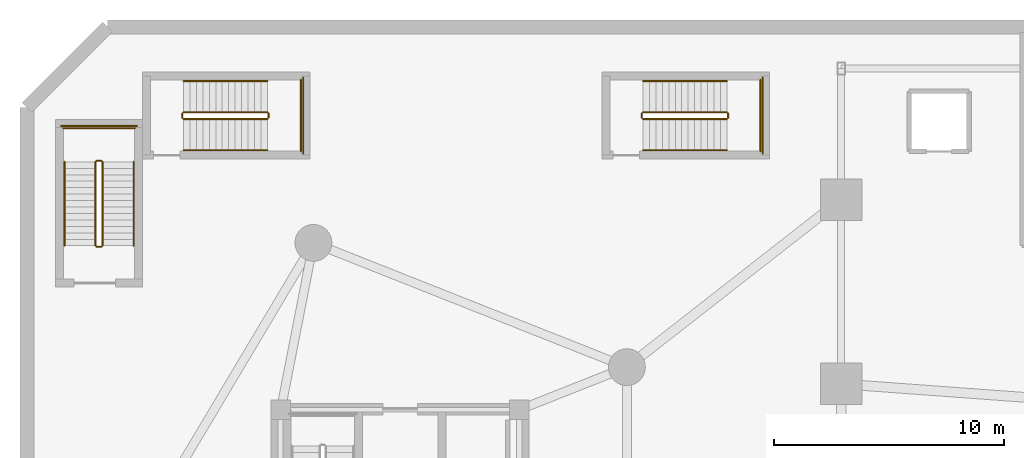
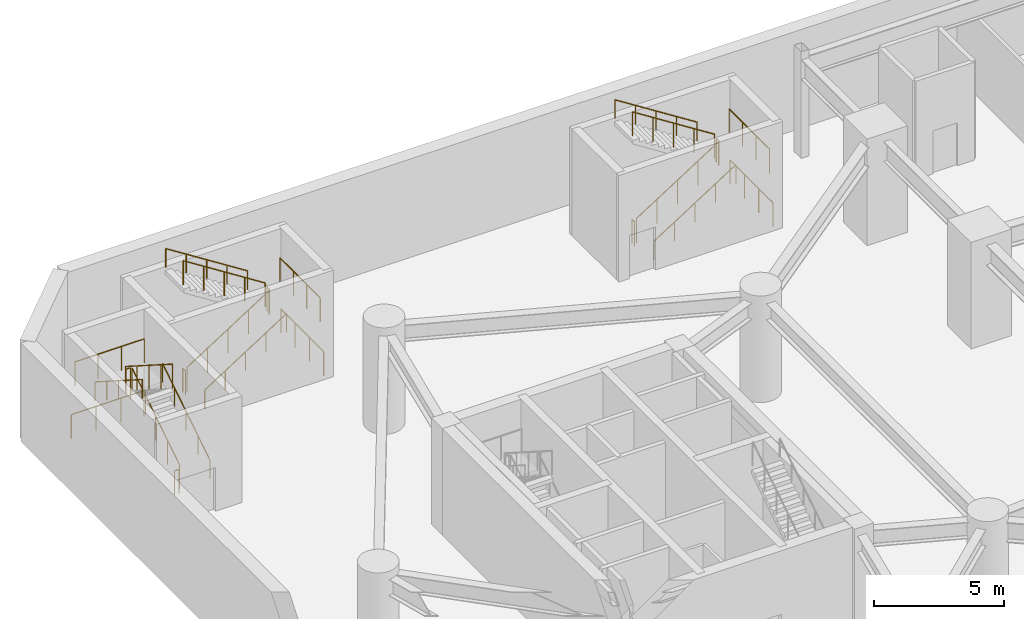
# One storey, part 13 of 14: 24 railings.
"""IFC4 building model written with IfcOpenShell, lengths in metres."""

from ifc_helpers import new_model, si_unit, direction, frame, origin, origin_2d, place, context, subcontext, project, spatial, circle, extrude, material, type_object, element, save


model = new_model("IFC4")

# Units and contexts
model_context = context("Model", 3, precision=1e-05, world=origin(), true_north=direction((0.0, 1.0)))
body_context = subcontext(model_context, "Body", "Model", "MODEL_VIEW")
ifc_project = project(units=[si_unit("LENGTHUNIT", "METRE"), si_unit("AREAUNIT", "SQUARE_METRE"), si_unit("VOLUMEUNIT", "CUBIC_METRE"), si_unit("PLANEANGLEUNIT", "RADIAN"), si_unit("MASSUNIT", "GRAM", prefix="KILO")], contexts=[model_context])

# Site, building, storey
site_placement = place(None, origin())
site = spatial("IfcSite", under=ifc_project, at=site_placement, CompositionType="ELEMENT")
building_placement = place(site_placement, origin())
building = spatial("IfcBuilding", under=site, at=building_placement, Name="Cununo Teusaquillo Station Towers", CompositionType="ELEMENT")
storey_placement = place(building_placement, frame((0.0, 0.0, -5.0)))
storey = spatial("IfcBuildingStorey", under=building, at=storey_placement, Name="B01", CompositionType="ELEMENT", Elevation=-5.0)

# Railings
ifc_material_1 = material(Name="Steel EN 10025-2 S355J2", Category="steel")
railing_type_1 = type_object("IfcRailingType", Name="RL-INT-GUARD", PredefinedType="GUARDRAIL", material=ifc_material_1)
railing_1_placement = place(storey_placement, frame((27.050048828125, 44.0, 0.178466796875)))
element("IfcRailing", 1, at=railing_1_placement, inside=storey, type_object=railing_type_1, Name="B01 ST-POD-N stair guard 1", PredefinedType="GUARDRAIL", context=body_context, shape_type="SweptSolid", body=[
    extrude(circle(Radius=0.02392578125, at=origin_2d()), frame((0.0, 0.0, 1.1259765625), z_axis=(0.843111507901, 0.0, 0.53773877045), x_axis=(0.0, 1.0, 0.0)), (0.0, 0.0, 1.0), 4.317138671875),
    extrude(circle(Radius=0.02099609375, at=origin_2d()), origin(), (0.0, 0.0, 1.0), 1.101806640625),
    extrude(circle(Radius=0.02099609375, at=origin_2d()), frame((0.909912109375, 0.0, 0.580322265625)), (0.0, 0.0, 1.0), 1.101806640625),
    extrude(circle(Radius=0.02099609375, at=origin_2d()), frame((1.81982421875, 0.0, 1.16064453125)), (0.0, 0.0, 1.0), 1.101806640625),
    extrude(circle(Radius=0.02099609375, at=origin_2d()), frame((2.72998046875, 0.0, 1.7412109375)), (0.0, 0.0, 1.0), 1.101806640625),
    extrude(circle(Radius=0.02099609375, at=origin_2d()), frame((3.639892578125, 0.0, 2.321533203125)), (0.0, 0.0, 1.0), 1.101806640625),
])
railing_2_placement = place(storey_placement, frame((30.739990234375, 44.050048828125, 2.5)))
element("IfcRailing", 2, at=railing_2_placement, inside=storey, type_object=railing_type_1, Name="B01 ST-POD-N stair guard 2", PredefinedType="GUARDRAIL", context=body_context, shape_type="SweptSolid", body=[
    extrude(circle(Radius=0.02392578125, at=origin_2d()), frame((0.0, 0.0, 1.1259765625), z_axis=(0.0, 1.0, 0.0), x_axis=(-1.0, 0.0, 0.0)), (0.0, 0.0, 1.0), 0.199951171875),
    extrude(circle(Radius=0.02099609375, at=origin_2d()), origin(), (0.0, 0.0, 1.0), 1.101806640625),
    extrude(circle(Radius=0.02099609375, at=origin_2d()), frame((0.0, 0.199951171875, 0.0)), (0.0, 0.0, 1.0), 1.101806640625),
])
railing_3_placement = place(storey_placement, frame((32.14990234375, 42.60009765625, 2.5)))
element("IfcRailing", 3, at=railing_3_placement, inside=storey, type_object=railing_type_1, Name="B01 ST-POD-N stair guard 3", PredefinedType="GUARDRAIL", context=body_context, shape_type="SweptSolid", body=[
    extrude(circle(Radius=0.02392578125, at=origin_2d()), frame((0.0, 0.0, 1.1259765625), z_axis=(0.0, 1.0, 0.0), x_axis=(-1.0, 0.0, 0.0)), (0.0, 0.0, 1.0), 3.099853515625),
    extrude(circle(Radius=0.02099609375, at=origin_2d()), origin(), (0.0, 0.0, 1.0), 1.101806640625),
    extrude(circle(Radius=0.02099609375, at=origin_2d()), frame((0.0, 1.033203125, 0.0)), (0.0, 0.0, 1.0), 1.101806640625),
    extrude(circle(Radius=0.02099609375, at=origin_2d()), frame((0.0, 2.066650390625, 0.0)), (0.0, 0.0, 1.0), 1.101806640625),
    extrude(circle(Radius=0.02099609375, at=origin_2d()), frame((0.0, 3.099853515625, 0.0)), (0.0, 0.0, 1.0), 1.101806640625),
])
railing_4_placement = place(storey_placement, frame((30.68994140625, 44.300048828125, 2.678466796875)))
element("IfcRailing", 4, at=railing_4_placement, inside=storey, type_object=railing_type_1, Name="B01 ST-POD-N stair guard 4", PredefinedType="GUARDRAIL", context=body_context, shape_type="SweptSolid", body=[
    extrude(circle(Radius=0.02392578125, at=origin_2d()), frame((0.0, 0.0, 1.1259765625), z_axis=(-0.843111507901, 0.0, 0.53773877045), x_axis=(0.0, -1.0, 0.0)), (0.0, 0.0, 1.0), 4.317138671875),
    extrude(circle(Radius=0.02099609375, at=origin_2d()), origin(), (0.0, 0.0, 1.0), 1.101806640625),
    extrude(circle(Radius=0.02099609375, at=origin_2d()), frame((-0.909912109375, 0.0, 0.580322265625)), (0.0, 0.0, 1.0), 1.101806640625),
    extrude(circle(Radius=0.02099609375, at=origin_2d()), frame((-1.81982421875, 0.0, 1.16064453125)), (0.0, 0.0, 1.0), 1.101806640625),
    extrude(circle(Radius=0.02099609375, at=origin_2d()), frame((-2.72998046875, 0.0, 1.7412109375)), (0.0, 0.0, 1.0), 1.101806640625),
    extrude(circle(Radius=0.02099609375, at=origin_2d()), frame((-3.639892578125, 0.0, 2.321533203125)), (0.0, 0.0, 1.0), 1.101806640625),
])
railing_5_placement = place(storey_placement, frame((27.0, 44.050048828125, 0.0)))
element("IfcRailing", 5, at=railing_5_placement, inside=storey, type_object=railing_type_1, Name="B01 ST-POD-N stair guard 5", PredefinedType="GUARDRAIL", context=body_context, shape_type="SweptSolid", body=[
    extrude(circle(Radius=0.02392578125, at=origin_2d()), frame((0.0, 0.0, 1.1259765625), z_axis=(0.0, 1.0, 0.0), x_axis=(-1.0, 0.0, 0.0)), (0.0, 0.0, 1.0), 0.199951171875),
    extrude(circle(Radius=0.02099609375, at=origin_2d()), origin(), (0.0, 0.0, 1.0), 1.101806640625),
    extrude(circle(Radius=0.02099609375, at=origin_2d()), frame((0.0, 0.199951171875, 0.0)), (0.0, 0.0, 1.0), 1.101806640625),
])
railing_6_placement = place(storey_placement, frame((32.25, 42.5, 0.0)))
element("IfcRailing", 6, at=railing_6_placement, inside=storey, type_object=railing_type_1, Name="B01 ST-POD-N stair guard 6", PredefinedType="GUARDRAIL", context=body_context, shape_type="SweptSolid", body=[
    extrude(circle(Radius=0.02392578125, at=origin_2d()), frame((0.0, 0.0, 1.1259765625), z_axis=(0.0, 1.0, 0.0), x_axis=(-1.0, 0.0, 0.0)), (0.0, 0.0, 1.0), 3.300048828125),
    extrude(circle(Radius=0.02099609375, at=origin_2d()), origin(), (0.0, 0.0, 1.0), 1.101806640625),
    extrude(circle(Radius=0.02099609375, at=origin_2d()), frame((0.0, 1.10009765625, 0.0)), (0.0, 0.0, 1.0), 1.101806640625),
    extrude(circle(Radius=0.02099609375, at=origin_2d()), frame((0.0, 2.199951171875, 0.0)), (0.0, 0.0, 1.0), 1.101806640625),
    extrude(circle(Radius=0.02099609375, at=origin_2d()), frame((0.0, 3.300048828125, 0.0)), (0.0, 0.0, 1.0), 1.101806640625),
])
railing_7_placement = place(storey_placement, frame((3.580078125, 38.5, 0.178466796875)))
element("IfcRailing", 7, at=railing_7_placement, inside=storey, type_object=railing_type_1, Name="B01 ST-POD-W stair guard 1", PredefinedType="GUARDRAIL", context=body_context, shape_type="SweptSolid", body=[
    extrude(circle(Radius=0.02392578125, at=origin_2d()), frame((0.0, 0.0, 1.1259765625), z_axis=(0.0, 0.843111507901, 0.53773877045), x_axis=(-1.0, 0.0, 0.0)), (0.0, 0.0, 1.0), 4.317138671875),
    extrude(circle(Radius=0.02099609375, at=origin_2d()), origin(), (0.0, 0.0, 1.0), 1.101806640625),
    extrude(circle(Radius=0.02099609375, at=origin_2d()), frame((0.0, 0.909912109375, 0.580322265625)), (0.0, 0.0, 1.0), 1.101806640625),
    extrude(circle(Radius=0.02099609375, at=origin_2d()), frame((0.0, 1.81982421875, 1.16064453125)), (0.0, 0.0, 1.0), 1.101806640625),
    extrude(circle(Radius=0.02099609375, at=origin_2d()), frame((0.0, 2.72998046875, 1.7412109375)), (0.0, 0.0, 1.0), 1.101806640625),
    extrude(circle(Radius=0.02099609375, at=origin_2d()), frame((0.0, 3.639892578125, 2.321533203125)), (0.0, 0.0, 1.0), 1.101806640625),
])
railing_8_placement = place(storey_placement, frame((3.530029296875, 42.18994140625, 2.5)))
element("IfcRailing", 8, at=railing_8_placement, inside=storey, type_object=railing_type_1, Name="B01 ST-POD-W stair guard 2", PredefinedType="GUARDRAIL", context=body_context, shape_type="SweptSolid", body=[
    extrude(circle(Radius=0.02392578125, at=origin_2d()), frame((0.0, 0.0, 1.1259765625), z_axis=(-1.0, 0.0, 0.0), x_axis=(0.0, -1.0, 0.0)), (0.0, 0.0, 1.0), 0.199951171875),
    extrude(circle(Radius=0.02099609375, at=origin_2d()), origin(), (0.0, 0.0, 1.0), 1.101806640625),
    extrude(circle(Radius=0.02099609375, at=origin_2d()), frame((-0.199951171875, 0.0, 0.0)), (0.0, 0.0, 1.0), 1.101806640625),
])
railing_9_placement = place(storey_placement, frame((4.97998046875, 43.60009765625, 2.5)))
element("IfcRailing", 9, at=railing_9_placement, inside=storey, type_object=railing_type_1, Name="B01 ST-POD-W stair guard 3", PredefinedType="GUARDRAIL", context=body_context, shape_type="SweptSolid", body=[
    extrude(circle(Radius=0.02392578125, at=origin_2d()), frame((0.0, 0.0, 1.1259765625), z_axis=(-1.0, 0.0, 0.0), x_axis=(0.0, -1.0, 0.0)), (0.0, 0.0, 1.0), 3.10009765625),
    extrude(circle(Radius=0.02099609375, at=origin_2d()), origin(), (0.0, 0.0, 1.0), 1.101806640625),
    extrude(circle(Radius=0.02099609375, at=origin_2d()), frame((-1.033447265625, 0.0, 0.0)), (0.0, 0.0, 1.0), 1.101806640625),
    extrude(circle(Radius=0.02099609375, at=origin_2d()), frame((-2.066650390625, 0.0, 0.0)), (0.0, 0.0, 1.0), 1.101806640625),
    extrude(circle(Radius=0.02099609375, at=origin_2d()), frame((-3.10009765625, 0.0, 0.0)), (0.0, 0.0, 1.0), 1.101806640625),
])
railing_10_placement = place(storey_placement, frame((3.280029296875, 42.139892578125, 2.678466796875)))
element("IfcRailing", 10, at=railing_10_placement, inside=storey, type_object=railing_type_1, Name="B01 ST-POD-W stair guard 4", PredefinedType="GUARDRAIL", context=body_context, shape_type="SweptSolid", body=[
    extrude(circle(Radius=0.02392578125, at=origin_2d()), frame((0.0, 0.0, 1.1259765625), z_axis=(0.0, -0.843111507901, 0.53773877045), x_axis=(1.0, 0.0, 0.0)), (0.0, 0.0, 1.0), 4.317138671875),
    extrude(circle(Radius=0.02099609375, at=origin_2d()), origin(), (0.0, 0.0, 1.0), 1.101806640625),
    extrude(circle(Radius=0.02099609375, at=origin_2d()), frame((0.0, -0.909912109375, 0.580322265625)), (0.0, 0.0, 1.0), 1.101806640625),
    extrude(circle(Radius=0.02099609375, at=origin_2d()), frame((0.0, -1.81982421875, 1.16064453125)), (0.0, 0.0, 1.0), 1.101806640625),
    extrude(circle(Radius=0.02099609375, at=origin_2d()), frame((0.0, -2.72998046875, 1.7412109375)), (0.0, 0.0, 1.0), 1.101806640625),
    extrude(circle(Radius=0.02099609375, at=origin_2d()), frame((0.0, -3.639892578125, 2.321533203125)), (0.0, 0.0, 1.0), 1.101806640625),
])
railing_11_placement = place(storey_placement, frame((3.530029296875, 38.449951171875, 0.0)))
element("IfcRailing", 11, at=railing_11_placement, inside=storey, type_object=railing_type_1, Name="B01 ST-POD-W stair guard 5", PredefinedType="GUARDRAIL", context=body_context, shape_type="SweptSolid", body=[
    extrude(circle(Radius=0.02392578125, at=origin_2d()), frame((0.0, 0.0, 1.1259765625), z_axis=(-1.0, 0.0, 0.0), x_axis=(0.0, -1.0, 0.0)), (0.0, 0.0, 1.0), 0.199951171875),
    extrude(circle(Radius=0.02099609375, at=origin_2d()), origin(), (0.0, 0.0, 1.0), 1.101806640625),
    extrude(circle(Radius=0.02099609375, at=origin_2d()), frame((-0.199951171875, 0.0, 0.0)), (0.0, 0.0, 1.0), 1.101806640625),
])
railing_12_placement = place(storey_placement, frame((5.080078125, 43.699951171875, 0.0)))
element("IfcRailing", 12, at=railing_12_placement, inside=storey, type_object=railing_type_1, Name="B01 ST-POD-W stair guard 6", PredefinedType="GUARDRAIL", context=body_context, shape_type="SweptSolid", body=[
    extrude(circle(Radius=0.02392578125, at=origin_2d()), frame((0.0, 0.0, 1.1259765625), z_axis=(-1.0, 0.0, 0.0), x_axis=(0.0, -1.0, 0.0)), (0.0, 0.0, 1.0), 3.300048828125),
    extrude(circle(Radius=0.02099609375, at=origin_2d()), origin(), (0.0, 0.0, 1.0), 1.101806640625),
    extrude(circle(Radius=0.02099609375, at=origin_2d()), frame((-1.10009765625, 0.0, 0.0)), (0.0, 0.0, 1.0), 1.101806640625),
    extrude(circle(Radius=0.02099609375, at=origin_2d()), frame((-2.199951171875, 0.0, 0.0)), (0.0, 0.0, 1.0), 1.101806640625),
    extrude(circle(Radius=0.02099609375, at=origin_2d()), frame((-3.300048828125, 0.0, 0.0)), (0.0, 0.0, 1.0), 1.101806640625),
])
railing_13_placement = place(storey_placement, frame((7.10009765625, 44.0, 0.178466796875)))
element("IfcRailing", 13, at=railing_13_placement, inside=storey, type_object=railing_type_1, Name="B01 ST-POD-C stair guard 1", PredefinedType="GUARDRAIL", context=body_context, shape_type="SweptSolid", body=[
    extrude(circle(Radius=0.02392578125, at=origin_2d()), frame((0.0, 0.0, 1.1259765625), z_axis=(0.843111507901, 0.0, 0.53773877045), x_axis=(0.0, 1.0, 0.0)), (0.0, 0.0, 1.0), 4.317138671875),
    extrude(circle(Radius=0.02099609375, at=origin_2d()), origin(), (0.0, 0.0, 1.0), 1.101806640625),
    extrude(circle(Radius=0.02099609375, at=origin_2d()), frame((0.909912109375, 0.0, 0.580322265625)), (0.0, 0.0, 1.0), 1.101806640625),
    extrude(circle(Radius=0.02099609375, at=origin_2d()), frame((1.81982421875, 0.0, 1.16064453125)), (0.0, 0.0, 1.0), 1.101806640625),
    extrude(circle(Radius=0.02099609375, at=origin_2d()), frame((2.72998046875, 0.0, 1.7412109375)), (0.0, 0.0, 1.0), 1.101806640625),
    extrude(circle(Radius=0.02099609375, at=origin_2d()), frame((3.639892578125, 0.0, 2.321533203125)), (0.0, 0.0, 1.0), 1.101806640625),
])
railing_14_placement = place(storey_placement, frame((10.7900390625, 44.050048828125, 2.5)))
element("IfcRailing", 14, at=railing_14_placement, inside=storey, type_object=railing_type_1, Name="B01 ST-POD-C stair guard 2", PredefinedType="GUARDRAIL", context=body_context, shape_type="SweptSolid", body=[
    extrude(circle(Radius=0.02392578125, at=origin_2d()), frame((0.0, 0.0, 1.1259765625), z_axis=(0.0, 1.0, 0.0), x_axis=(-1.0, 0.0, 0.0)), (0.0, 0.0, 1.0), 0.199951171875),
    extrude(circle(Radius=0.02099609375, at=origin_2d()), origin(), (0.0, 0.0, 1.0), 1.101806640625),
    extrude(circle(Radius=0.02099609375, at=origin_2d()), frame((0.0, 0.199951171875, 0.0)), (0.0, 0.0, 1.0), 1.101806640625),
])
railing_15_placement = place(storey_placement, frame((12.199951171875, 42.60009765625, 2.5)))
element("IfcRailing", 15, at=railing_15_placement, inside=storey, type_object=railing_type_1, Name="B01 ST-POD-C stair guard 3", PredefinedType="GUARDRAIL", context=body_context, shape_type="SweptSolid", body=[
    extrude(circle(Radius=0.02392578125, at=origin_2d()), frame((0.0, 0.0, 1.1259765625), z_axis=(0.0, 1.0, 0.0), x_axis=(-1.0, 0.0, 0.0)), (0.0, 0.0, 1.0), 3.099853515625),
    extrude(circle(Radius=0.02099609375, at=origin_2d()), origin(), (0.0, 0.0, 1.0), 1.101806640625),
    extrude(circle(Radius=0.02099609375, at=origin_2d()), frame((0.0, 1.033203125, 0.0)), (0.0, 0.0, 1.0), 1.101806640625),
    extrude(circle(Radius=0.02099609375, at=origin_2d()), frame((0.0, 2.066650390625, 0.0)), (0.0, 0.0, 1.0), 1.101806640625),
    extrude(circle(Radius=0.02099609375, at=origin_2d()), frame((0.0, 3.099853515625, 0.0)), (0.0, 0.0, 1.0), 1.101806640625),
])
railing_16_placement = place(storey_placement, frame((10.739990234375, 44.300048828125, 2.678466796875)))
element("IfcRailing", 16, at=railing_16_placement, inside=storey, type_object=railing_type_1, Name="B01 ST-POD-C stair guard 4", PredefinedType="GUARDRAIL", context=body_context, shape_type="SweptSolid", body=[
    extrude(circle(Radius=0.02392578125, at=origin_2d()), frame((0.0, 0.0, 1.1259765625), z_axis=(-0.843111507901, 0.0, 0.53773877045), x_axis=(0.0, -1.0, 0.0)), (0.0, 0.0, 1.0), 4.317138671875),
    extrude(circle(Radius=0.02099609375, at=origin_2d()), origin(), (0.0, 0.0, 1.0), 1.101806640625),
    extrude(circle(Radius=0.02099609375, at=origin_2d()), frame((-0.909912109375, 0.0, 0.580322265625)), (0.0, 0.0, 1.0), 1.101806640625),
    extrude(circle(Radius=0.02099609375, at=origin_2d()), frame((-1.81982421875, 0.0, 1.16064453125)), (0.0, 0.0, 1.0), 1.101806640625),
    extrude(circle(Radius=0.02099609375, at=origin_2d()), frame((-2.72998046875, 0.0, 1.7412109375)), (0.0, 0.0, 1.0), 1.101806640625),
    extrude(circle(Radius=0.02099609375, at=origin_2d()), frame((-3.639892578125, 0.0, 2.321533203125)), (0.0, 0.0, 1.0), 1.101806640625),
])
railing_17_placement = place(storey_placement, frame((7.050048828125, 44.050048828125, 0.0)))
element("IfcRailing", 17, at=railing_17_placement, inside=storey, type_object=railing_type_1, Name="B01 ST-POD-C stair guard 5", PredefinedType="GUARDRAIL", context=body_context, shape_type="SweptSolid", body=[
    extrude(circle(Radius=0.02392578125, at=origin_2d()), frame((0.0, 0.0, 1.1259765625), z_axis=(0.0, 1.0, 0.0), x_axis=(-1.0, 0.0, 0.0)), (0.0, 0.0, 1.0), 0.199951171875),
    extrude(circle(Radius=0.02099609375, at=origin_2d()), origin(), (0.0, 0.0, 1.0), 1.101806640625),
    extrude(circle(Radius=0.02099609375, at=origin_2d()), frame((0.0, 0.199951171875, 0.0)), (0.0, 0.0, 1.0), 1.101806640625),
])
railing_18_placement = place(storey_placement, frame((12.300048828125, 42.5, 0.0)))
element("IfcRailing", 18, at=railing_18_placement, inside=storey, type_object=railing_type_1, Name="B01 ST-POD-C stair guard 6", PredefinedType="GUARDRAIL", context=body_context, shape_type="SweptSolid", body=[
    extrude(circle(Radius=0.02392578125, at=origin_2d()), frame((0.0, 0.0, 1.1259765625), z_axis=(0.0, 1.0, 0.0), x_axis=(-1.0, 0.0, 0.0)), (0.0, 0.0, 1.0), 3.300048828125),
    extrude(circle(Radius=0.02099609375, at=origin_2d()), origin(), (0.0, 0.0, 1.0), 1.101806640625),
    extrude(circle(Radius=0.02099609375, at=origin_2d()), frame((0.0, 1.10009765625, 0.0)), (0.0, 0.0, 1.0), 1.101806640625),
    extrude(circle(Radius=0.02099609375, at=origin_2d()), frame((0.0, 2.199951171875, 0.0)), (0.0, 0.0, 1.0), 1.101806640625),
    extrude(circle(Radius=0.02099609375, at=origin_2d()), frame((0.0, 3.300048828125, 0.0)), (0.0, 0.0, 1.0), 1.101806640625),
])
ifc_material_2 = material(Name="Steel EN 10025-2 S355J2", Category="steel")
railing_type_2 = type_object("IfcRailingType", Name="RL-INT-HRAIL", PredefinedType="HANDRAIL", material=ifc_material_2)
railing_19_placement = place(storey_placement, frame((27.050048828125, 42.64990234375, 0.178466796875)))
element("IfcRailing", 19, at=railing_19_placement, inside=storey, type_object=railing_type_2, Name="B01 ST-POD-N stair handrail 1", PredefinedType="HANDRAIL", context=body_context, shape_type="SweptSolid", body=[
    extrude(circle(Radius=0.02392578125, at=origin_2d()), frame((0.0, 0.0, 0.8759765625), z_axis=(0.843111507901, 0.0, 0.53773877045), x_axis=(0.0, 1.0, 0.0)), (0.0, 0.0, 1.0), 4.317138671875),
    extrude(circle(Radius=0.02099609375, at=origin_2d()), origin(), (0.0, 0.0, 1.0), 0.851806640625),
    extrude(circle(Radius=0.02099609375, at=origin_2d()), frame((0.909912109375, 0.0, 0.580322265625)), (0.0, 0.0, 1.0), 0.851806640625),
    extrude(circle(Radius=0.02099609375, at=origin_2d()), frame((1.81982421875, 0.0, 1.16064453125)), (0.0, 0.0, 1.0), 0.851806640625),
    extrude(circle(Radius=0.02099609375, at=origin_2d()), frame((2.72998046875, 0.0, 1.7412109375)), (0.0, 0.0, 1.0), 0.851806640625),
    extrude(circle(Radius=0.02099609375, at=origin_2d()), frame((3.639892578125, 0.0, 2.321533203125)), (0.0, 0.0, 1.0), 0.851806640625),
])
railing_20_placement = place(storey_placement, frame((30.68994140625, 45.64990234375, 2.678466796875)))
element("IfcRailing", 20, at=railing_20_placement, inside=storey, type_object=railing_type_2, Name="B01 ST-POD-N stair handrail 2", PredefinedType="HANDRAIL", context=body_context, shape_type="SweptSolid", body=[
    extrude(circle(Radius=0.02392578125, at=origin_2d()), frame((0.0, 0.0, 0.8759765625), z_axis=(-0.843111507901, 0.0, 0.53773877045), x_axis=(0.0, -1.0, 0.0)), (0.0, 0.0, 1.0), 4.317138671875),
    extrude(circle(Radius=0.02099609375, at=origin_2d()), origin(), (0.0, 0.0, 1.0), 0.851806640625),
    extrude(circle(Radius=0.02099609375, at=origin_2d()), frame((-0.909912109375, 0.0, 0.580322265625)), (0.0, 0.0, 1.0), 0.851806640625),
    extrude(circle(Radius=0.02099609375, at=origin_2d()), frame((-1.81982421875, 0.0, 1.16064453125)), (0.0, 0.0, 1.0), 0.851806640625),
    extrude(circle(Radius=0.02099609375, at=origin_2d()), frame((-2.72998046875, 0.0, 1.7412109375)), (0.0, 0.0, 1.0), 0.851806640625),
    extrude(circle(Radius=0.02099609375, at=origin_2d()), frame((-3.639892578125, 0.0, 2.321533203125)), (0.0, 0.0, 1.0), 0.851806640625),
])
railing_21_placement = place(storey_placement, frame((4.929931640625, 38.5, 0.178466796875)))
element("IfcRailing", 21, at=railing_21_placement, inside=storey, type_object=railing_type_2, Name="B01 ST-POD-W stair handrail 1", PredefinedType="HANDRAIL", context=body_context, shape_type="SweptSolid", body=[
    extrude(circle(Radius=0.02392578125, at=origin_2d()), frame((0.0, 0.0, 0.8759765625), z_axis=(0.0, 0.843111507901, 0.53773877045), x_axis=(-1.0, 0.0, 0.0)), (0.0, 0.0, 1.0), 4.317138671875),
    extrude(circle(Radius=0.02099609375, at=origin_2d()), origin(), (0.0, 0.0, 1.0), 0.851806640625),
    extrude(circle(Radius=0.02099609375, at=origin_2d()), frame((0.0, 0.909912109375, 0.580322265625)), (0.0, 0.0, 1.0), 0.851806640625),
    extrude(circle(Radius=0.02099609375, at=origin_2d()), frame((0.0, 1.81982421875, 1.16064453125)), (0.0, 0.0, 1.0), 0.851806640625),
    extrude(circle(Radius=0.02099609375, at=origin_2d()), frame((0.0, 2.72998046875, 1.7412109375)), (0.0, 0.0, 1.0), 0.851806640625),
    extrude(circle(Radius=0.02099609375, at=origin_2d()), frame((0.0, 3.639892578125, 2.321533203125)), (0.0, 0.0, 1.0), 0.851806640625),
])
railing_22_placement = place(storey_placement, frame((1.929931640625, 42.139892578125, 2.678466796875)))
element("IfcRailing", 22, at=railing_22_placement, inside=storey, type_object=railing_type_2, Name="B01 ST-POD-W stair handrail 2", PredefinedType="HANDRAIL", context=body_context, shape_type="SweptSolid", body=[
    extrude(circle(Radius=0.02392578125, at=origin_2d()), frame((0.0, 0.0, 0.8759765625), z_axis=(0.0, -0.843111507901, 0.53773877045), x_axis=(1.0, 0.0, 0.0)), (0.0, 0.0, 1.0), 4.317138671875),
    extrude(circle(Radius=0.02099609375, at=origin_2d()), origin(), (0.0, 0.0, 1.0), 0.851806640625),
    extrude(circle(Radius=0.02099609375, at=origin_2d()), frame((0.0, -0.909912109375, 0.580322265625)), (0.0, 0.0, 1.0), 0.851806640625),
    extrude(circle(Radius=0.02099609375, at=origin_2d()), frame((0.0, -1.81982421875, 1.16064453125)), (0.0, 0.0, 1.0), 0.851806640625),
    extrude(circle(Radius=0.02099609375, at=origin_2d()), frame((0.0, -2.72998046875, 1.7412109375)), (0.0, 0.0, 1.0), 0.851806640625),
    extrude(circle(Radius=0.02099609375, at=origin_2d()), frame((0.0, -3.639892578125, 2.321533203125)), (0.0, 0.0, 1.0), 0.851806640625),
])
railing_23_placement = place(storey_placement, frame((7.10009765625, 42.64990234375, 0.178466796875)))
element("IfcRailing", 23, at=railing_23_placement, inside=storey, type_object=railing_type_2, Name="B01 ST-POD-C stair handrail 1", PredefinedType="HANDRAIL", context=body_context, shape_type="SweptSolid", body=[
    extrude(circle(Radius=0.02392578125, at=origin_2d()), frame((0.0, 0.0, 0.8759765625), z_axis=(0.843111507901, 0.0, 0.53773877045), x_axis=(0.0, 1.0, 0.0)), (0.0, 0.0, 1.0), 4.317138671875),
    extrude(circle(Radius=0.02099609375, at=origin_2d()), origin(), (0.0, 0.0, 1.0), 0.851806640625),
    extrude(circle(Radius=0.02099609375, at=origin_2d()), frame((0.909912109375, 0.0, 0.580322265625)), (0.0, 0.0, 1.0), 0.851806640625),
    extrude(circle(Radius=0.02099609375, at=origin_2d()), frame((1.81982421875, 0.0, 1.16064453125)), (0.0, 0.0, 1.0), 0.851806640625),
    extrude(circle(Radius=0.02099609375, at=origin_2d()), frame((2.72998046875, 0.0, 1.7412109375)), (0.0, 0.0, 1.0), 0.851806640625),
    extrude(circle(Radius=0.02099609375, at=origin_2d()), frame((3.639892578125, 0.0, 2.321533203125)), (0.0, 0.0, 1.0), 0.851806640625),
])
railing_24_placement = place(storey_placement, frame((10.739990234375, 45.64990234375, 2.678466796875)))
element("IfcRailing", 24, at=railing_24_placement, inside=storey, type_object=railing_type_2, Name="B01 ST-POD-C stair handrail 2", PredefinedType="HANDRAIL", context=body_context, shape_type="SweptSolid", body=[
    extrude(circle(Radius=0.02392578125, at=origin_2d()), frame((0.0, 0.0, 0.8759765625), z_axis=(-0.843111507901, 0.0, 0.53773877045), x_axis=(0.0, -1.0, 0.0)), (0.0, 0.0, 1.0), 4.317138671875),
    extrude(circle(Radius=0.02099609375, at=origin_2d()), origin(), (0.0, 0.0, 1.0), 0.851806640625),
    extrude(circle(Radius=0.02099609375, at=origin_2d()), frame((-0.909912109375, 0.0, 0.580322265625)), (0.0, 0.0, 1.0), 0.851806640625),
    extrude(circle(Radius=0.02099609375, at=origin_2d()), frame((-1.81982421875, 0.0, 1.16064453125)), (0.0, 0.0, 1.0), 0.851806640625),
    extrude(circle(Radius=0.02099609375, at=origin_2d()), frame((-2.72998046875, 0.0, 1.7412109375)), (0.0, 0.0, 1.0), 0.851806640625),
    extrude(circle(Radius=0.02099609375, at=origin_2d()), frame((-3.639892578125, 0.0, 2.321533203125)), (0.0, 0.0, 1.0), 0.851806640625),
])

save(model, "model.ifc")
